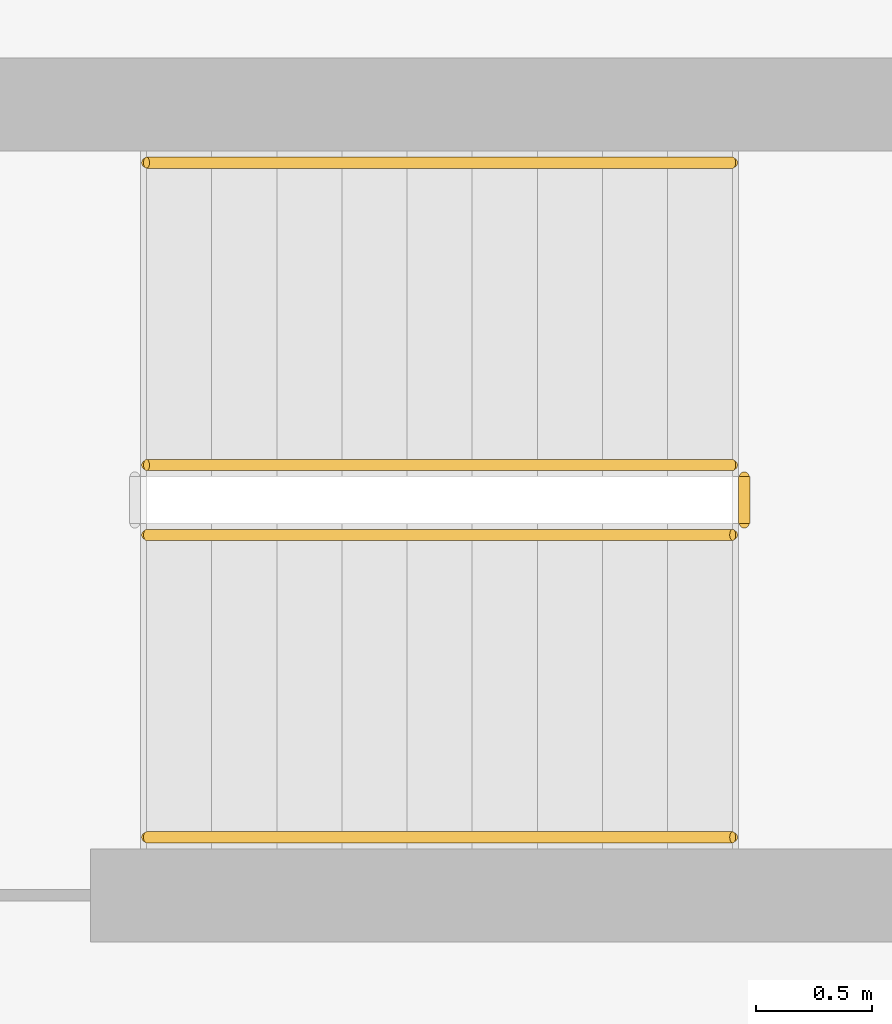
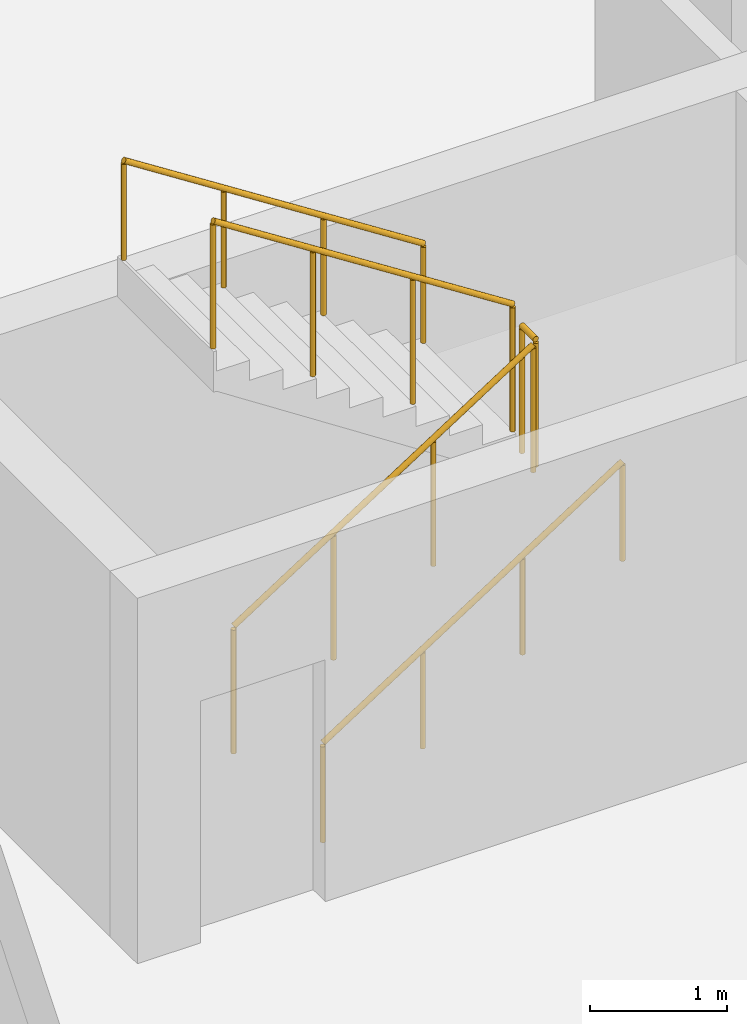
# One storey, part 10 of 11: 5 railings.
"""IFC4 building model written with IfcOpenShell, lengths in metres."""

from ifc_helpers import new_model, si_unit, direction, frame, origin, origin_2d, place, context, subcontext, project, spatial, circle, extrude, material, type_object, element, save


model = new_model("IFC4")

# Units and contexts
model_context = context("Model", 3, precision=1e-05, world=origin(), true_north=direction((0.0, 1.0)))
body_context = subcontext(model_context, "Body", "Model", "MODEL_VIEW")
ifc_project = project(units=[si_unit("LENGTHUNIT", "METRE"), si_unit("AREAUNIT", "SQUARE_METRE"), si_unit("VOLUMEUNIT", "CUBIC_METRE"), si_unit("PLANEANGLEUNIT", "RADIAN"), si_unit("MASSUNIT", "GRAM", prefix="KILO")], contexts=[model_context])

# Site, building, storey
site_placement = place(None, origin())
site = spatial("IfcSite", under=ifc_project, at=site_placement, CompositionType="ELEMENT")
building_placement = place(site_placement, origin())
building = spatial("IfcBuilding", under=site, at=building_placement, Name="Barlavira Tower and Art Museum", CompositionType="ELEMENT")
storey_placement = place(building_placement, frame((0.0, 0.0, -3.60009765625)))
storey = spatial("IfcBuildingStorey", under=building, at=storey_placement, Name="B01", CompositionType="ELEMENT", Elevation=-3.60009765625)

# Railings
ifc_material = material(Name="Brushed stainless steel", Category="steel")
railing_type_1 = type_object("IfcRailingType", Name="Interior Void and Landing Guard Railing 1150", PredefinedType="GUARDRAIL", material=ifc_material)
railing_1_placement = place(storey_placement, frame((32.070068359375, 17.949951171875, 0.18017578125)))
element("IfcRailing", 1, at=railing_1_placement, inside=storey, type_object=railing_type_1, Name="B01 ST-M2 stair guard 1", PredefinedType="GUARDRAIL", context=body_context, shape_type="SweptSolid", body=[
    extrude(circle(Radius=0.02392578125, at=origin_2d()), frame((0.0, 0.0, 1.1259765625), z_axis=(0.841199657755, 0.0, 0.540724639528), x_axis=(0.0, 1.0, 0.0)), (0.0, 0.0, 1.0), 2.995849609375),
    extrude(circle(Radius=0.02099609375, at=origin_2d()), origin(), (0.0, 0.0, 1.0), 1.101806640625),
    extrude(circle(Radius=0.02099609375, at=origin_2d()), frame((0.840087890625, 0.0, 0.5400390625)), (0.0, 0.0, 1.0), 1.101806640625),
    extrude(circle(Radius=0.02099609375, at=origin_2d()), frame((1.679931640625, 0.0, 1.079833984375)), (0.0, 0.0, 1.0), 1.101806640625),
    extrude(circle(Radius=0.02099609375, at=origin_2d()), frame((2.52001953125, 0.0, 1.619873046875)), (0.0, 0.0, 1.0), 1.101806640625),
])
railing_2_placement = place(storey_placement, frame((34.639892578125, 18.0, 1.800048828125)))
element("IfcRailing", 2, at=railing_2_placement, inside=storey, type_object=railing_type_1, Name="B01 ST-M2 stair guard 2", PredefinedType="GUARDRAIL", context=body_context, shape_type="SweptSolid", body=[
    extrude(circle(Radius=0.02392578125, at=origin_2d()), frame((0.0, 0.0, 1.1259765625), z_axis=(0.0, 1.0, 0.0), x_axis=(-1.0, 0.0, 0.0)), (0.0, 0.0, 1.0), 0.199951171875),
    extrude(circle(Radius=0.02099609375, at=origin_2d()), origin(), (0.0, 0.0, 1.0), 1.101806640625),
    extrude(circle(Radius=0.02099609375, at=origin_2d()), frame((0.0, 0.199951171875, 0.0)), (0.0, 0.0, 1.0), 1.101806640625),
])
railing_3_placement = place(storey_placement, frame((34.590087890625, 18.25, 1.97998046875)))
element("IfcRailing", 3, at=railing_3_placement, inside=storey, type_object=railing_type_1, Name="B01 ST-M2 stair guard 3", PredefinedType="GUARDRAIL", context=body_context, shape_type="SweptSolid", body=[
    extrude(circle(Radius=0.02392578125, at=origin_2d()), frame((0.0, 0.0, 1.1259765625), z_axis=(-0.841162588446, 0.0, 0.540782303519), x_axis=(0.0, -1.0, 0.0)), (0.0, 0.0, 1.0), 2.995849609375),
    extrude(circle(Radius=0.02099609375, at=origin_2d()), origin(), (0.0, 0.0, 1.0), 1.101806640625),
    extrude(circle(Radius=0.02099609375, at=origin_2d()), frame((-0.840087890625, 0.0, 0.5400390625)), (0.0, 0.0, 1.0), 1.101806640625),
    extrude(circle(Radius=0.02099609375, at=origin_2d()), frame((-1.679931640625, 0.0, 1.080078125)), (0.0, 0.0, 1.0), 1.101806640625),
    extrude(circle(Radius=0.02099609375, at=origin_2d()), frame((-2.52001953125, 0.0, 1.6201171875)), (0.0, 0.0, 1.0), 1.101806640625),
])
railing_type_2 = type_object("IfcRailingType", Name="Stair Pitch Tubular Steel Handrail 920", PredefinedType="HANDRAIL", material=ifc_material)
railing_4_placement = place(storey_placement, frame((32.070068359375, 16.64990234375, 0.18017578125)))
element("IfcRailing", 4, at=railing_4_placement, inside=storey, type_object=railing_type_2, Name="B01 ST-M2 stair handrail 1", PredefinedType="HANDRAIL", context=body_context, shape_type="SweptSolid", body=[
    extrude(circle(Radius=0.02392578125, at=origin_2d()), frame((0.0, 0.0, 0.8759765625), z_axis=(0.841199657755, 0.0, 0.540724639528), x_axis=(0.0, 1.0, 0.0)), (0.0, 0.0, 1.0), 2.995849609375),
    extrude(circle(Radius=0.02099609375, at=origin_2d()), origin(), (0.0, 0.0, 1.0), 0.851806640625),
    extrude(circle(Radius=0.02099609375, at=origin_2d()), frame((0.840087890625, 0.0, 0.5400390625)), (0.0, 0.0, 1.0), 0.851806640625),
    extrude(circle(Radius=0.02099609375, at=origin_2d()), frame((1.679931640625, 0.0, 1.079833984375)), (0.0, 0.0, 1.0), 0.851806640625),
    extrude(circle(Radius=0.02099609375, at=origin_2d()), frame((2.52001953125, 0.0, 1.619873046875)), (0.0, 0.0, 1.0), 0.851806640625),
])
railing_5_placement = place(storey_placement, frame((34.590087890625, 19.550048828125, 1.97998046875)))
element("IfcRailing", 5, at=railing_5_placement, inside=storey, type_object=railing_type_2, Name="B01 ST-M2 stair handrail 2", PredefinedType="HANDRAIL", context=body_context, shape_type="SweptSolid", body=[
    extrude(circle(Radius=0.02392578125, at=origin_2d()), frame((0.0, 0.0, 0.8759765625), z_axis=(-0.841162588446, 0.0, 0.540782303519), x_axis=(0.0, -1.0, 0.0)), (0.0, 0.0, 1.0), 2.995849609375),
    extrude(circle(Radius=0.02099609375, at=origin_2d()), origin(), (0.0, 0.0, 1.0), 0.851806640625),
    extrude(circle(Radius=0.02099609375, at=origin_2d()), frame((-0.840087890625, 0.0, 0.5400390625)), (0.0, 0.0, 1.0), 0.851806640625),
    extrude(circle(Radius=0.02099609375, at=origin_2d()), frame((-1.679931640625, 0.0, 1.080078125)), (0.0, 0.0, 1.0), 0.851806640625),
    extrude(circle(Radius=0.02099609375, at=origin_2d()), frame((-2.52001953125, 0.0, 1.6201171875)), (0.0, 0.0, 1.0), 0.851806640625),
])

save(model, "model.ifc")
